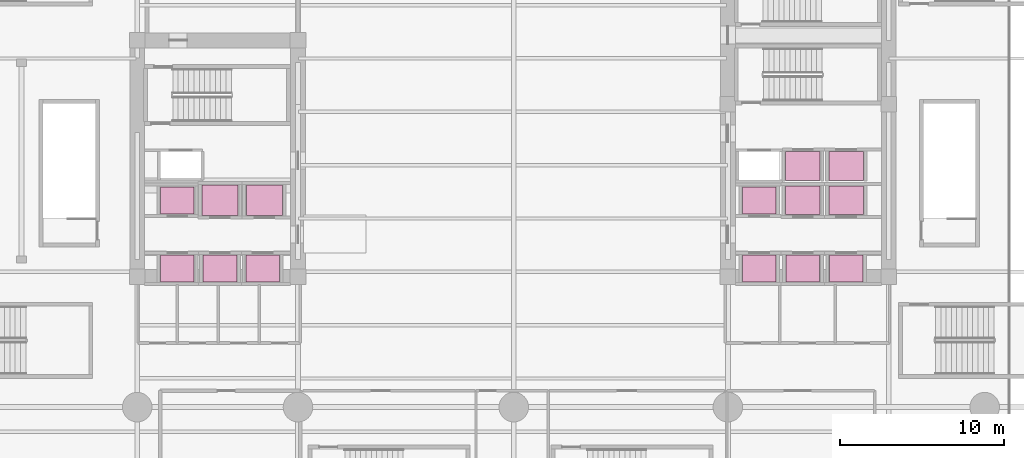
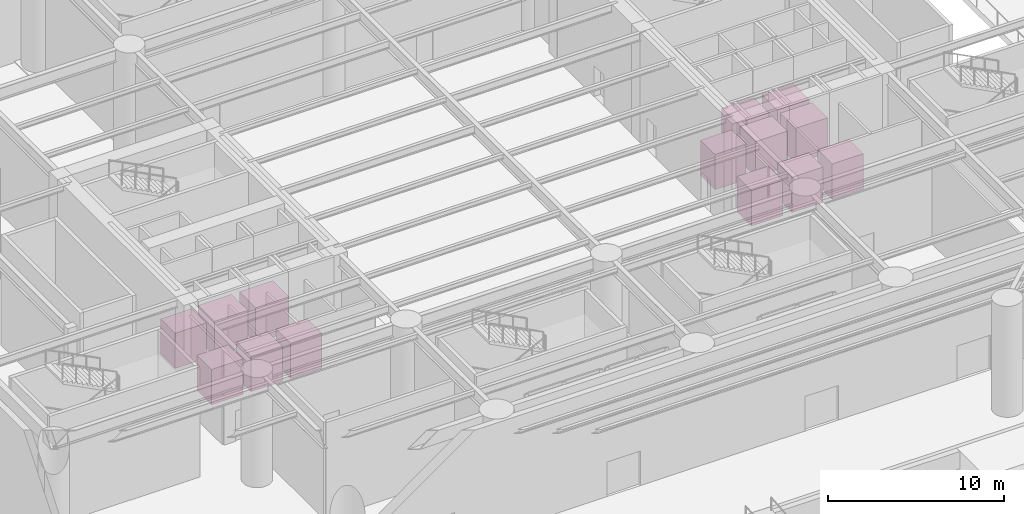
# One storey, part 25 of 25: 14 transport elements.
"""IFC4 building model written with IfcOpenShell, lengths in metres."""

from ifc_helpers import new_model, si_unit, direction, frame, origin, origin_2d, place, context, subcontext, project, spatial, rectangle, extrude, material, type_object, element, save


model = new_model("IFC4")

# Units and contexts
model_context = context("Model", 3, precision=1e-05, world=origin(), true_north=direction((0.0, 1.0)))
body_context = subcontext(model_context, "Body", "Model", "MODEL_VIEW")
ifc_project = project(units=[si_unit("LENGTHUNIT", "METRE"), si_unit("AREAUNIT", "SQUARE_METRE"), si_unit("VOLUMEUNIT", "CUBIC_METRE"), si_unit("PLANEANGLEUNIT", "RADIAN"), si_unit("MASSUNIT", "GRAM", prefix="KILO")], contexts=[model_context])

# Site, building, storey
site_placement = place(None, origin())
site = spatial("IfcSite", under=ifc_project, at=site_placement, CompositionType="ELEMENT")
building_placement = place(site_placement, origin())
building = spatial("IfcBuilding", under=site, at=building_placement, Name="Kolvaren Arena Tower", CompositionType="ELEMENT")
storey_placement = place(building_placement, origin())
storey = spatial("IfcBuildingStorey", under=building, at=storey_placement, Name="L00", CompositionType="ELEMENT", Elevation=0.0)

# Transport elements
ifc_material = material(Name="Brushed stainless steel elevator cab", Category="steel")
transport_element_type_1 = type_object("IfcTransportElementType", Name="LIFT-EXP-OB", PredefinedType="ELEVATOR", material=ifc_material)
for number, where, z_axis, x_axis, name in (
    (1, (19.60009765625, 24.10009765625, 0.0), (0.0, 0.0, 1.0), (1.0, 0.0, 0.0), "Passenger Elevator Car EL-OB1"),
    (2, (22.300048828125, 24.10009765625, 0.0), (0.0, 0.0, 1.0), (1.0, 0.0, 0.0), "Passenger Elevator Car EL-OB2"),
):
    element("IfcTransportElement", number, at=place(storey_placement, frame(where, z_axis=z_axis, x_axis=x_axis)), inside=storey, type_object=transport_element_type_1, Name=name, PredefinedType="ELEVATOR", context=body_context, shape_type="SweptSolid", body=[
        extrude(rectangle(XDim=2.199951171875, YDim=1.85009765625, at=origin_2d()), origin(), (0.0, 0.0, 1.0), 2.449951171875),
    ])
transport_element_type_2 = type_object("IfcTransportElementType", Name="LIFT-PAX-HR", PredefinedType="ELEVATOR", material=ifc_material)
for number, where, z_axis, x_axis, name in (
    (3, (55.1201171875, 24.10009765625, 0.0), (0.0, 0.0, 1.0), (1.0, 0.0, 0.0), "Passenger Elevator Car EL-HR1"),
    (4, (57.760009765625, 24.10009765625, 0.0), (0.0, 0.0, 1.0), (1.0, 0.0, 0.0), "Passenger Elevator Car EL-HR2"),
    (5, (55.1201171875, 26.199951171875, 0.0), (0.0, 0.0, 1.0), (1.0, 0.0, 0.0), "Passenger Elevator Car EL-HR3"),
    (6, (57.760009765625, 26.199951171875, 0.0), (0.0, 0.0, 1.0), (1.0, 0.0, 0.0), "Passenger Elevator Car EL-HR4"),
):
    element("IfcTransportElement", number, at=place(storey_placement, frame(where, z_axis=z_axis, x_axis=x_axis)), inside=storey, type_object=transport_element_type_2, Name=name, PredefinedType="ELEVATOR", context=body_context, shape_type="SweptSolid", body=[
        extrude(rectangle(XDim=2.10009765625, YDim=1.75, at=origin_2d()), origin(), (0.0, 0.0, 1.0), 2.449951171875),
    ])
transport_element_type_3 = type_object("IfcTransportElementType", Name="LIFT-PAX-LR", PredefinedType="ELEVATOR", material=ifc_material)
for number, where, z_axis, x_axis, name in (
    (7, (52.4599609375, 19.949951171875, 0.0), (0.0, 0.0, 1.0), (1.0, 0.0, 0.0), "Passenger Elevator Car EL-LR1"),
    (8, (55.1201171875, 19.949951171875, 0.0), (0.0, 0.0, 1.0), (1.0, 0.0, 0.0), "Passenger Elevator Car EL-LR2"),
    (9, (57.760009765625, 19.949951171875, 0.0), (0.0, 0.0, 1.0), (1.0, 0.0, 0.0), "Passenger Elevator Car EL-LR3"),
    (10, (52.4599609375, 24.10009765625, 0.0), (0.0, 0.0, 1.0), (1.0, 0.0, 0.0), "Passenger Elevator Car EL-LR4"),
):
    element("IfcTransportElement", number, at=place(storey_placement, frame(where, z_axis=z_axis, x_axis=x_axis)), inside=storey, type_object=transport_element_type_3, Name=name, PredefinedType="ELEVATOR", context=body_context, shape_type="SweptSolid", body=[
        extrude(rectangle(XDim=2.050048828125, YDim=1.64990234375, at=origin_2d()), origin(), (0.0, 0.0, 1.0), 2.449951171875),
    ])
transport_element_type_4 = type_object("IfcTransportElementType", Name="LIFT-PAX-MR", PredefinedType="ELEVATOR", material=ifc_material)
for number, where, z_axis, x_axis, name in (
    (11, (17.0, 19.949951171875, 0.0), (0.0, 0.0, 1.0), (1.0, 0.0, 0.0), "Passenger Elevator Car EL-MR1"),
    (12, (19.60009765625, 19.949951171875, 0.0), (0.0, 0.0, 1.0), (1.0, 0.0, 0.0), "Passenger Elevator Car EL-MR2"),
    (13, (22.199951171875, 19.949951171875, 0.0), (0.0, 0.0, 1.0), (1.0, 0.0, 0.0), "Passenger Elevator Car EL-MR3"),
    (14, (17.0, 24.10009765625, 0.0), (0.0, 0.0, 1.0), (1.0, 0.0, 0.0), "Passenger Elevator Car EL-MR4"),
):
    element("IfcTransportElement", number, at=place(storey_placement, frame(where, z_axis=z_axis, x_axis=x_axis)), inside=storey, type_object=transport_element_type_4, Name=name, PredefinedType="ELEVATOR", context=body_context, shape_type="SweptSolid", body=[
        extrude(rectangle(XDim=2.050048828125, YDim=1.64990234375, at=origin_2d()), origin(), (0.0, 0.0, 1.0), 2.449951171875),
    ])

save(model, "model.ifc")
